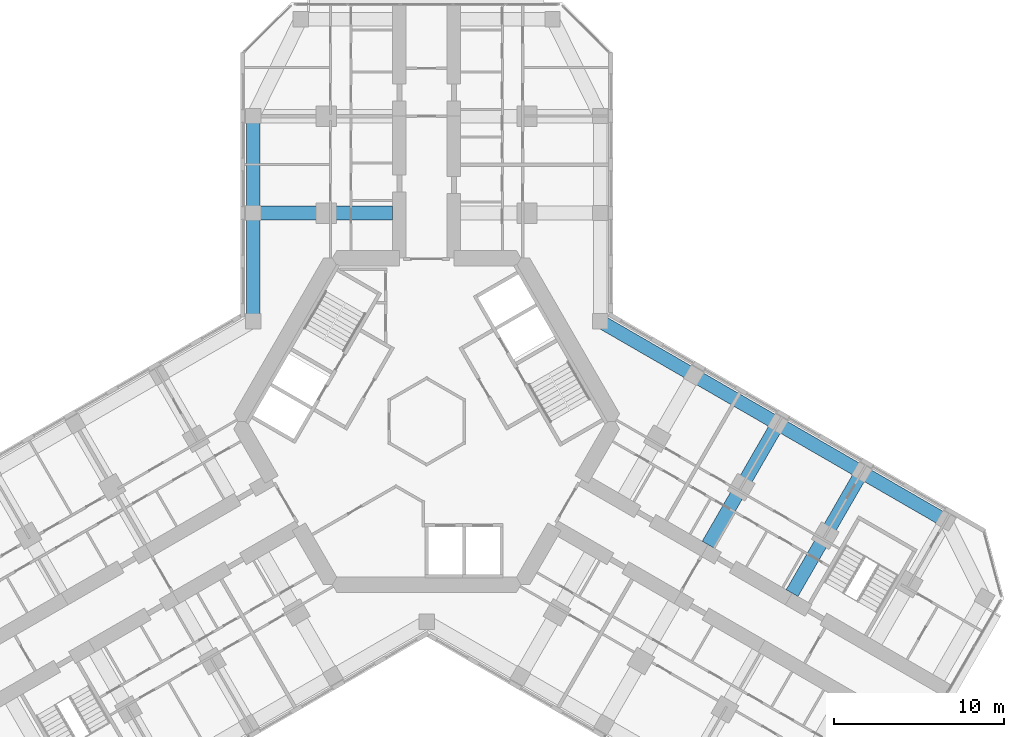
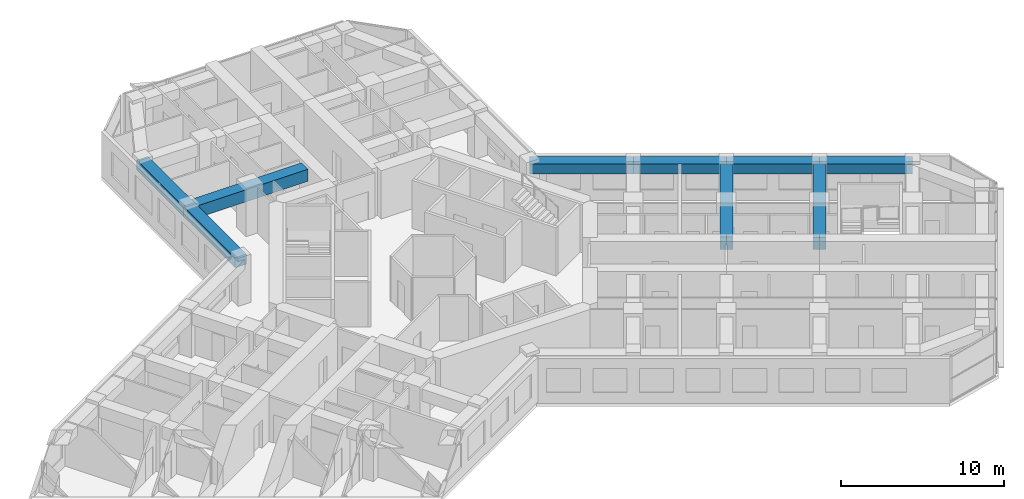
# One storey, part 6 of 19: 9 beams.
"""IFC4 building model written with IfcOpenShell, lengths in metres."""

from ifc_helpers import new_model, si_unit, direction, frame, origin, origin_2d, place, context, subcontext, project, spatial, rectangle, extrude, material, material_profile, profile_set, type_object, element, save


model = new_model("IFC4")

# Units and contexts
model_context = context("Model", 3, precision=1e-05, world=origin(), true_north=direction((0.0, 1.0)))
body_context = subcontext(model_context, "Body", "Model", "MODEL_VIEW")
ifc_project = project(units=[si_unit("LENGTHUNIT", "METRE"), si_unit("AREAUNIT", "SQUARE_METRE"), si_unit("VOLUMEUNIT", "CUBIC_METRE"), si_unit("PLANEANGLEUNIT", "RADIAN"), si_unit("MASSUNIT", "GRAM", prefix="KILO")], contexts=[model_context])

# Site, building, storey
site_placement = place(None, origin())
site = spatial("IfcSite", under=ifc_project, at=site_placement, CompositionType="ELEMENT")
building_placement = place(site_placement, origin())
building = spatial("IfcBuilding", under=site, at=building_placement, Name="Kosmar Iwan School Tower", CompositionType="ELEMENT")
storey_placement = place(building_placement, frame((0.0, 0.0, 145.39990234375)))
storey = spatial("IfcBuildingStorey", under=building, at=storey_placement, Name="L36", CompositionType="ELEMENT", Elevation=145.39990234375)

# Beams
ifc_material_1 = material(Name="Concrete C50/60", Category="concrete")
ifc_material_profile_1 = material_profile(ifc_material_1, rectangle(XDim=0.800048828125, YDim=0.75, at=origin_2d()), Name="RC 800x750")
ifc_profile_set_1 = profile_set([ifc_material_profile_1], Name="Concrete C50/60")
beam_type_1 = type_object("IfcBeamType", Name="RC edge beam 800x750", PredefinedType="BEAM", material=ifc_profile_set_1)
beam_1_placement = place(storey_placement, frame((-10.199951171875, 5.888916015625, 2.97509765625), z_axis=(0.0, 1.0, 0.0), x_axis=(-1.0, 0.0, 0.0)))
element("IfcBeam", 1, at=beam_1_placement, inside=storey, type_object=beam_type_1, Name="Edge beam AL1", PredefinedType="BEAM", context=body_context, shape_type="SweptSolid", body=[
    extrude(rectangle(XDim=0.800048828125, YDim=0.75, at=origin_2d()), origin(), (0.0, 0.0, 1.0), 6.361083984375),
])
beam_2_placement = place(storey_placement, frame((-10.199951171875, 12.25, 2.97509765625), z_axis=(0.0, 1.0, 0.0), x_axis=(-1.0, 0.0, 0.0)))
element("IfcBeam", 2, at=beam_2_placement, inside=storey, type_object=beam_type_1, Name="Edge beam AL2", PredefinedType="BEAM", context=body_context, shape_type="SweptSolid", body=[
    extrude(rectangle(XDim=0.800048828125, YDim=0.75, at=origin_2d()), origin(), (0.0, 0.0, 1.0), 5.699951171875),
])
beam_3_placement = place(storey_placement, frame((10.199951171875, 5.888916015625, 2.97509765625), z_axis=(0.866030912664, -0.49999045822, 0.0), x_axis=(0.49999045822, 0.866030912664, 0.0)))
element("IfcBeam", 3, at=beam_3_placement, inside=storey, type_object=beam_type_1, Name="Edge beam CL1", PredefinedType="BEAM", context=body_context, shape_type="SweptSolid", body=[
    extrude(rectangle(XDim=0.800048828125, YDim=0.75, at=origin_2d()), origin(), (0.0, 0.0, 1.0), 6.36083984375),
])
beam_4_placement = place(storey_placement, frame((15.708740234375, 2.70849609375, 2.97509765625), z_axis=(0.866025820012, -0.499999279071, 0.0), x_axis=(0.499999279071, 0.866025820012, 0.0)))
element("IfcBeam", 4, at=beam_4_placement, inside=storey, type_object=beam_type_1, Name="Edge beam CL2", PredefinedType="BEAM", context=body_context, shape_type="SweptSolid", body=[
    extrude(rectangle(XDim=0.800048828125, YDim=0.75, at=origin_2d()), origin(), (0.0, 0.0, 1.0), 5.7001953125),
])
for number, where, z_axis, x_axis, name in (
    (5, (20.645263671875, -0.1416015625, 2.97509765625), (0.866033658841, -0.49998570155, 0.0), (0.49998570155, 0.866033658841, 0.0), "Edge beam CL3"),
    (6, (25.58154296875, -2.991455078125, 2.97509765625), (0.866015111908, -0.50001782563, 0.0), (0.50001782563, 0.866015111908, 0.0), "Edge beam CL4"),
):
    element("IfcBeam", number, at=place(storey_placement, frame(where, z_axis=z_axis, x_axis=x_axis)), inside=storey, type_object=beam_type_1, Name=name, PredefinedType="BEAM", context=body_context, shape_type="SweptSolid", body=[
        extrude(rectangle(XDim=0.800048828125, YDim=0.75, at=origin_2d()), origin(), (0.0, 0.0, 1.0), 5.699951171875),
    ])
ifc_material_2 = material(Name="Concrete C50/60", Category="concrete")
ifc_material_profile_2 = material_profile(ifc_material_2, rectangle(XDim=0.800048828125, YDim=0.89990234375, at=origin_2d()), Name="RC 800x900")
ifc_profile_set_2 = profile_set([ifc_material_profile_2], Name="Concrete C50/60")
beam_type_2 = type_object("IfcBeamType", Name="RC transverse beam 800x900", PredefinedType="BEAM", material=ifc_profile_set_2)
for number, where, z_axis, x_axis, name in (
    (7, (-10.199951171875, 12.25, 2.900146484375), (1.0, 0.0, 0.0), (0.0, 1.0, 0.0), "Transverse beam AL1"),
    (8, (20.645263671875, -0.1416015625, 2.900146484375), (-0.500013681986, -0.866017504342, 0.0), (0.866017504342, -0.500013681986, 0.0), "Transverse beam CL2"),
):
    element("IfcBeam", number, at=place(storey_placement, frame(where, z_axis=z_axis, x_axis=x_axis)), inside=storey, type_object=beam_type_2, Name=name, PredefinedType="BEAM", context=body_context, shape_type="SweptSolid", body=[
        extrude(rectangle(XDim=0.800048828125, YDim=0.89990234375, at=origin_2d()), origin(), (0.0, 0.0, 1.0), 8.199951171875),
    ])
beam_5_placement = place(storey_placement, frame((25.58154296875, -2.991455078125, 2.900146484375), z_axis=(-0.500000789788, -0.8660249478, 0.0), x_axis=(0.8660249478, -0.500000789788, 0.0)))
element("IfcBeam", 9, at=beam_5_placement, inside=storey, type_object=beam_type_2, Name="Transverse beam CL3", PredefinedType="BEAM", context=body_context, shape_type="SweptSolid", body=[
    extrude(rectangle(XDim=0.800048828125, YDim=0.89990234375, at=origin_2d()), origin(), (0.0, 0.0, 1.0), 8.2001953125),
])

save(model, "model.ifc")
